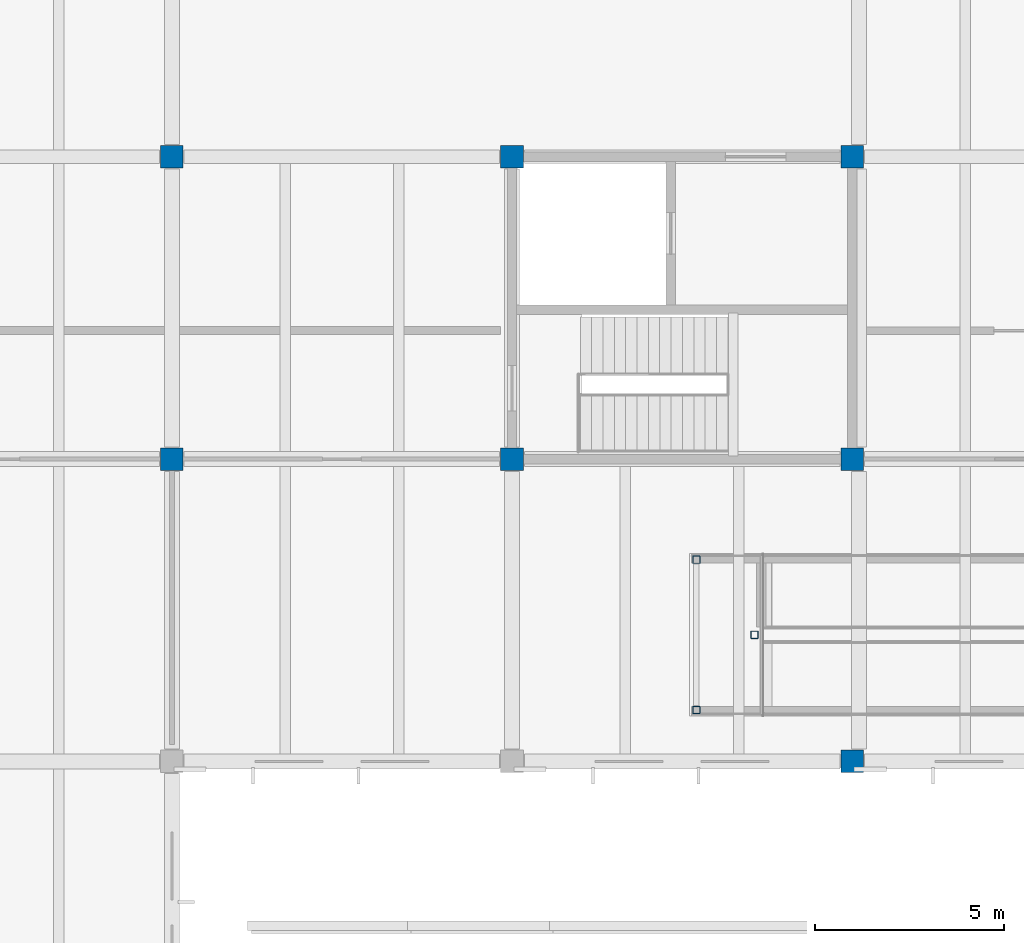
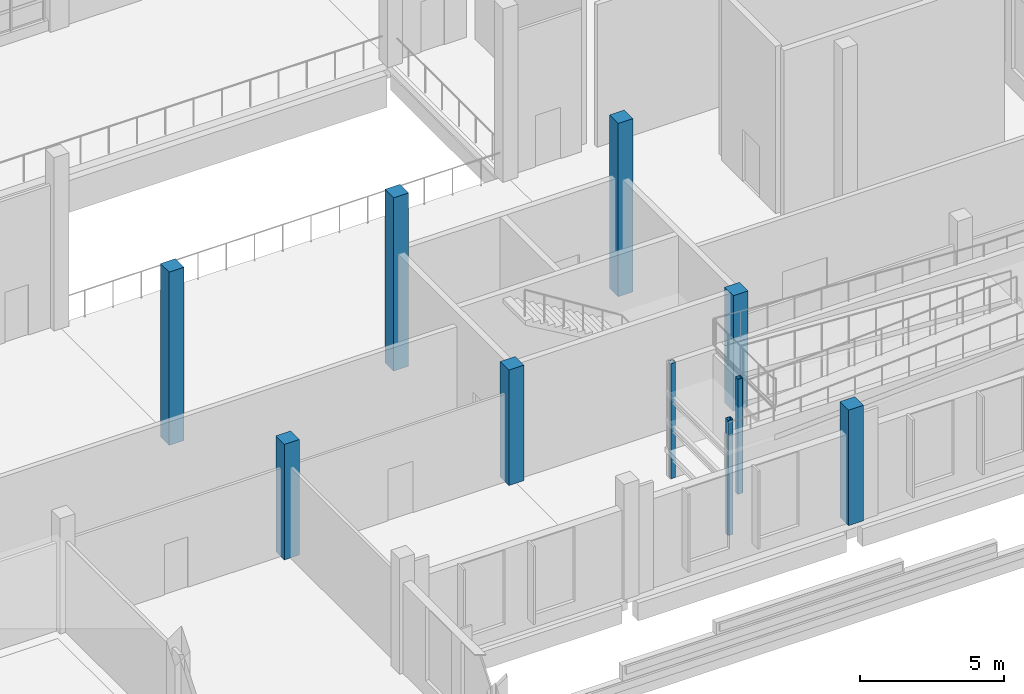
# One storey, part 2 of 110: 10 columns.
"""IFC4 building model written with IfcOpenShell, lengths in metres."""

from ifc_helpers import new_model, si_unit, direction, frame, origin, origin_2d, place, context, subcontext, project, spatial, rectangle, hollow_rectangle, extrude, material, material_profile, profile_set, type_object, element, save


model = new_model("IFC4")

# Units and contexts
model_context = context("Model", 3, precision=1e-05, world=origin(), true_north=direction((0.0, 1.0)))
body_context = subcontext(model_context, "Body", "Model", "MODEL_VIEW")
ifc_project = project(units=[si_unit("LENGTHUNIT", "METRE"), si_unit("AREAUNIT", "SQUARE_METRE"), si_unit("VOLUMEUNIT", "CUBIC_METRE"), si_unit("PLANEANGLEUNIT", "RADIAN"), si_unit("MASSUNIT", "GRAM", prefix="KILO")], contexts=[model_context])

# Site, building, storey
site_placement = place(None, origin())
site = spatial("IfcSite", under=ifc_project, at=site_placement, CompositionType="ELEMENT")
building_placement = place(site_placement, origin())
building = spatial("IfcBuilding", under=site, at=building_placement, Name="Zacnel Wholesale Market", CompositionType="ELEMENT")
storey_placement = place(building_placement, frame((0.0, 0.0, 6.300048828125)))
storey = spatial("IfcBuildingStorey", under=building, at=storey_placement, Name="L02", CompositionType="ELEMENT", Elevation=6.300048828125)

# Columns
ifc_material_1 = material(Name="Precast concrete C45/55", Category="concrete")
ifc_material_profile_1 = material_profile(ifc_material_1, rectangle(XDim=0.60009765625, YDim=0.60009765625, at=origin_2d()), Name="PC 600x600")
ifc_profile_set_1 = profile_set([ifc_material_profile_1], Name="Precast concrete C45/55")
column_type_1 = type_object("IfcColumnType", Name="COL-PC600", PredefinedType="COLUMN", material=ifc_profile_set_1)
column_1_placement = place(storey_placement, frame((99.0, 16.0, 0.0), z_axis=(0.0, 0.0, 1.0), x_axis=(1.0, 0.0, 0.0)))
element("IfcColumn", 1, at=column_1_placement, inside=storey, type_object=column_type_1, Name="Precast column L02-0486", PredefinedType="COLUMN", context=body_context, shape_type="SweptSolid", body=[
    extrude(rectangle(XDim=0.60009765625, YDim=0.60009765625, at=origin_2d()), origin(), (0.0, 0.0, 1.0), 4.89990234375),
])
column_2_placement = place(storey_placement, frame((99.0, 24.0, 0.0), z_axis=(0.0, 0.0, 1.0), x_axis=(1.0, 0.0, 0.0)))
element("IfcColumn", 2, at=column_2_placement, inside=storey, type_object=column_type_1, Name="Precast column L02-0487", PredefinedType="COLUMN", context=body_context, shape_type="SweptSolid", body=[
    extrude(rectangle(XDim=0.60009765625, YDim=0.60009765625, at=origin_2d()), origin(), (0.0, 0.0, 1.0), 7.349853515625),
])
column_3_placement = place(storey_placement, frame((108.0, 16.0, 0.0), z_axis=(0.0, 0.0, 1.0), x_axis=(1.0, 0.0, 0.0)))
element("IfcColumn", 3, at=column_3_placement, inside=storey, type_object=column_type_1, Name="Precast column L02-0495", PredefinedType="COLUMN", context=body_context, shape_type="SweptSolid", body=[
    extrude(rectangle(XDim=0.60009765625, YDim=0.60009765625, at=origin_2d()), origin(), (0.0, 0.0, 1.0), 4.89990234375),
])
column_4_placement = place(storey_placement, frame((108.0, 24.0, 0.0), z_axis=(0.0, 0.0, 1.0), x_axis=(1.0, 0.0, 0.0)))
element("IfcColumn", 4, at=column_4_placement, inside=storey, type_object=column_type_1, Name="Precast column L02-0496", PredefinedType="COLUMN", context=body_context, shape_type="SweptSolid", body=[
    extrude(rectangle(XDim=0.60009765625, YDim=0.60009765625, at=origin_2d()), origin(), (0.0, 0.0, 1.0), 7.349853515625),
])
column_5_placement = place(storey_placement, frame((117.0, 16.0, 0.0), z_axis=(0.0, 0.0, 1.0), x_axis=(1.0, 0.0, 0.0)))
element("IfcColumn", 5, at=column_5_placement, inside=storey, type_object=column_type_1, Name="Precast column L02-0501", PredefinedType="COLUMN", context=body_context, shape_type="SweptSolid", body=[
    extrude(rectangle(XDim=0.60009765625, YDim=0.60009765625, at=origin_2d()), origin(), (0.0, 0.0, 1.0), 4.89990234375),
])
column_6_placement = place(storey_placement, frame((117.0, 24.0, 0.0), z_axis=(0.0, 0.0, 1.0), x_axis=(1.0, 0.0, 0.0)))
element("IfcColumn", 6, at=column_6_placement, inside=storey, type_object=column_type_1, Name="Precast column L02-0502", PredefinedType="COLUMN", context=body_context, shape_type="SweptSolid", body=[
    extrude(rectangle(XDim=0.60009765625, YDim=0.60009765625, at=origin_2d()), origin(), (0.0, 0.0, 1.0), 7.349853515625),
])
column_7_placement = place(storey_placement, frame((117.0, 8.0, 0.0), z_axis=(0.0, 0.0, 1.0), x_axis=(1.0, 0.0, 0.0)))
element("IfcColumn", 7, at=column_7_placement, inside=storey, type_object=column_type_1, Name="Precast wing column V4EL2S-004", PredefinedType="COLUMN", context=body_context, shape_type="SweptSolid", body=[
    extrude(rectangle(XDim=0.60009765625, YDim=0.60009765625, at=origin_2d()), origin(), (0.0, 0.0, 1.0), 4.89990234375),
])
ifc_material_2 = material(Name="Steel S355", Category="steel")
ifc_material_profile_2 = material_profile(ifc_material_2, hollow_rectangle(XDim=0.199951171875, YDim=0.199951171875, WallThickness=0.010009765625, InnerFilletRadius=0.010009765625, OuterFilletRadius=0.02001953125, at=origin_2d()), Name="HSS 200x200x10")
ifc_profile_set_2 = profile_set([ifc_material_profile_2], Name="Steel S355")
column_type_2 = type_object("IfcColumnType", Name="COL-STL-HSS200", PredefinedType="COLUMN", material=ifc_profile_set_2)
for number, where, z_axis, x_axis, name in (
    (8, (112.8798828125, 9.360107421875, 0.0), (0.0, 0.0, 1.0), (1.0, 0.0, 0.0), "Accessible ramp RP-04 (RMP-PROM-2) support column 1"),
    (9, (114.419921875, 11.35009765625, 0.0), (0.0, 0.0, 1.0), (1.0, 0.0, 0.0), "Accessible ramp RP-04 (RMP-PROM-2) support column 2"),
    (10, (112.8798828125, 13.340087890625, 0.0), (0.0, 0.0, 1.0), (1.0, 0.0, 0.0), "Accessible ramp RP-04 (RMP-PROM-2) support column 3"),
):
    element("IfcColumn", number, at=place(storey_placement, frame(where, z_axis=z_axis, x_axis=x_axis)), inside=storey, type_object=column_type_2, Name=name, PredefinedType="COLUMN", context=body_context, shape_type="SweptSolid", body=[
        extrude(hollow_rectangle(XDim=0.199951171875, YDim=0.199951171875, WallThickness=0.010009765625, InnerFilletRadius=0.010009765625, OuterFilletRadius=0.02001953125, at=origin_2d()), origin(), (0.0, 0.0, 1.0), 4.8798828125),
    ])

save(model, "model.ifc")
